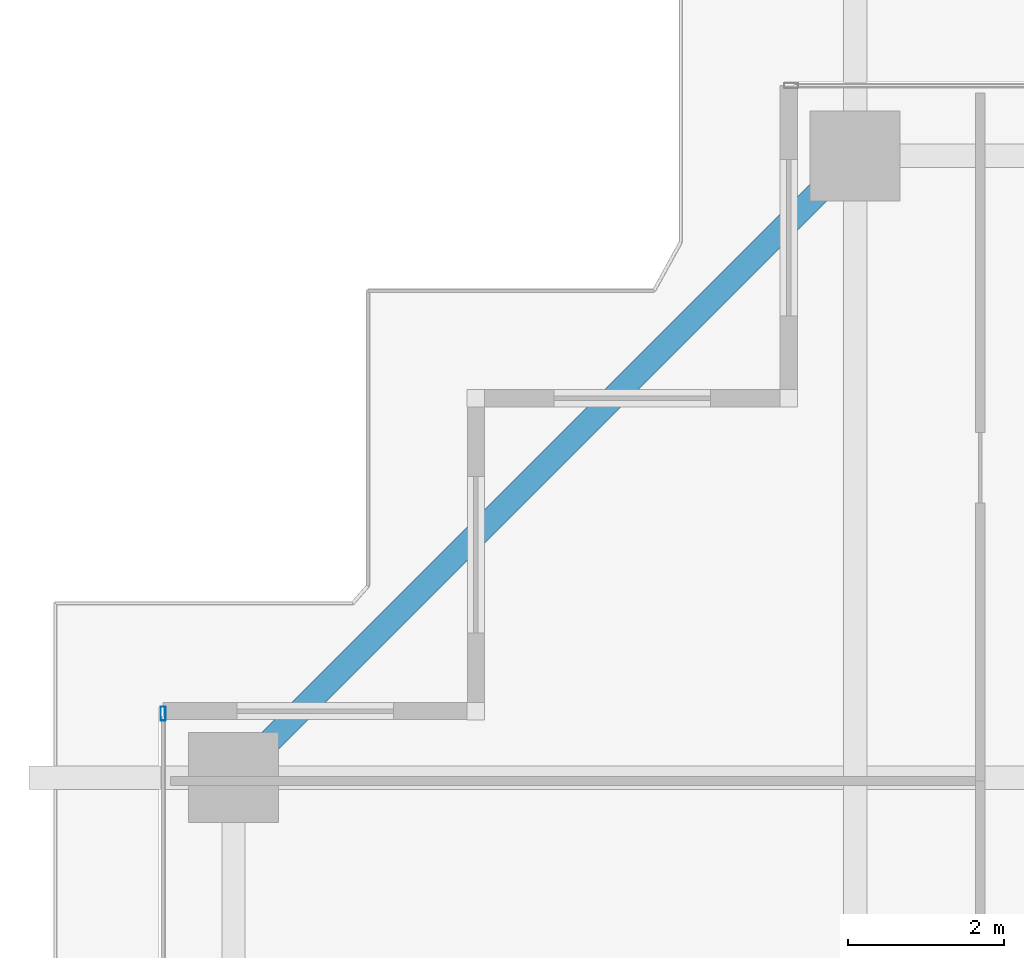
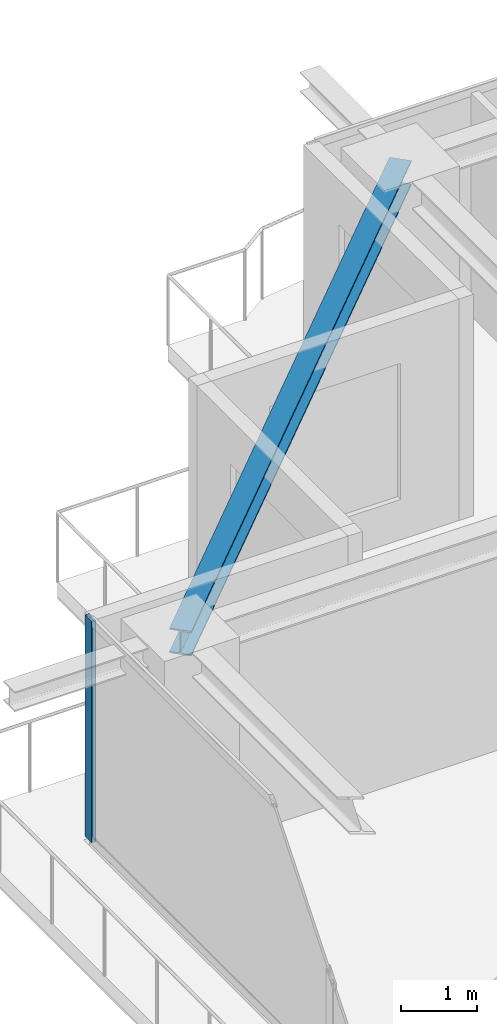
# One storey, part 18 of 38: 1 beam, 1 member, 1 element without a shape of its own.
"""IFC4 building model written with IfcOpenShell, lengths in metres."""

from ifc_helpers import new_model, si_unit, direction, frame, origin, origin_2d, place, context, subcontext, project, spatial, hollow_rectangle, i_section, extrude, source, transform, mapped, material, layer, layer_set, material_profile, profile_set, type_object, element, aggregate, save


model = new_model("IFC4")

# Units and contexts
model_context = context("Model", 3, precision=1e-05, world=origin(), true_north=direction((0.0, 1.0)))
body_context = subcontext(model_context, "Body", "Model", "MODEL_VIEW")
ifc_project = project(units=[si_unit("LENGTHUNIT", "METRE"), si_unit("AREAUNIT", "SQUARE_METRE"), si_unit("VOLUMEUNIT", "CUBIC_METRE"), si_unit("PLANEANGLEUNIT", "RADIAN"), si_unit("MASSUNIT", "GRAM", prefix="KILO")], contexts=[model_context])

# Site, building, storey
site_placement = place(None, origin())
site = spatial("IfcSite", under=ifc_project, at=site_placement, CompositionType="ELEMENT")
building_placement = place(site_placement, origin())
building = spatial("IfcBuilding", under=site, at=building_placement, Name="Serunith Strait Residences", CompositionType="ELEMENT")
storey_placement = place(building_placement, frame((0.0, 0.0, 264.35009765625)))
storey = spatial("IfcBuildingStorey", under=building, at=storey_placement, Name="L66", CompositionType="ELEMENT", Elevation=264.35009765625)

# Beam
ifc_material_1 = material(Name="Steel S355J2", Category="steel")
ifc_material_profile_1 = material_profile(ifc_material_1, i_section(OverallWidth=0.300048828125, OverallDepth=0.39990234375, WebThickness=0.013427734375, FlangeThickness=0.02392578125, FilletRadius=0.027099609375, at=origin_2d()), Name="HEB 400")
ifc_profile_set_1 = profile_set([ifc_material_profile_1], Name="Steel S355J2")
beam_type = type_object("IfcBeamType", Name="BM-HEB400", PredefinedType="BEAM", material=ifc_profile_set_1)
shared_shape_1 = source(origin(), body_context, "Body", "SweptSolid", [
    extrude(i_section(OverallWidth=0.300048828125, OverallDepth=0.39990234375, WebThickness=0.013427734375, FlangeThickness=0.02392578125, FilletRadius=0.027099609375, at=origin_2d()), origin(), (0.0, 0.0, 1.0), 11.242919921875),
])
beam_placement = place(storey_placement, frame((16.25, 48.300048828125, 3.35693359375), z_axis=(-0.707106781187, -0.707106781187, 0.0), x_axis=(0.707106781187, -0.707106781187, 0.0)))
element("IfcBeam", 1, at=beam_placement, inside=storey, type_object=beam_type, Name="L66 Perimeter Ring Beam 12", PredefinedType="BEAM", context=body_context, shape_type="MappedRepresentation", body=[
    mapped(shared_shape_1, transform((0.0, 0.0, 0.0), scale=1.0)),
])

# Curtain wall, member
ifc_material_2 = material(Name="Pale-Champagne Anodised Aluminium", Category="aluminium")
ifc_layer = layer(ifc_material_2, 0.199951171875, Name="Pale-Champagne Anodised Aluminium")
ifc_layer_set = layer_set([ifc_layer], Name="Pale-Champagne Anodised Aluminium")
curtain_wall_type = type_object("IfcCurtainWallType", Name="CW-SYS4", PredefinedType="NOTDEFINED", material=ifc_layer_set)
curtain_wall_placement = place(storey_placement, origin())
curtain_wall = element("IfcCurtainWall", 2, at=curtain_wall_placement, inside=storey, type_object=curtain_wall_type, Name="L66 W Unitised Fritted Curtain Wall", PredefinedType="NOTDEFINED")
ifc_material_profile_2 = material_profile(ifc_material_2, hollow_rectangle(XDim=0.06494140625, YDim=0.179931640625, WallThickness=0.00341796875, InnerFilletRadius=0.00537109375, OuterFilletRadius=0.0087890625, at=origin_2d()), Name="ALU 180x65x3.5")
ifc_profile_set_2 = profile_set([ifc_material_profile_2], Name="Pale-Champagne Anodised Aluminium")
member_type = type_object("IfcMemberType", Name="CW-SYS4-MULL", PredefinedType="MULLION", material=ifc_profile_set_2)
shared_shape_2 = source(origin(), body_context, "Body", "SweptSolid", [
    extrude(hollow_rectangle(XDim=0.06494140625, YDim=0.179931640625, WallThickness=0.00341796875, InnerFilletRadius=0.00537109375, OuterFilletRadius=0.0087890625, at=origin_2d()), origin(), (0.0, 0.0, 1.0), 3.574951171875),
])
member_placement = place(storey_placement, frame((7.39990234375, 41.16748046875, 0.0), z_axis=(0.0, 0.0, 1.0), x_axis=(1.0, 0.0, 0.0)))
member = element("IfcMember", 3, at=member_placement, type_object=member_type, Name="CW-4 mullion 1", PredefinedType="MULLION", context=body_context, shape_type="MappedRepresentation", body=[
    mapped(shared_shape_2, transform((0.0, 0.0, 0.0), scale=1.0)),
])
aggregate(curtain_wall, [member])

save(model, "model.ifc")
